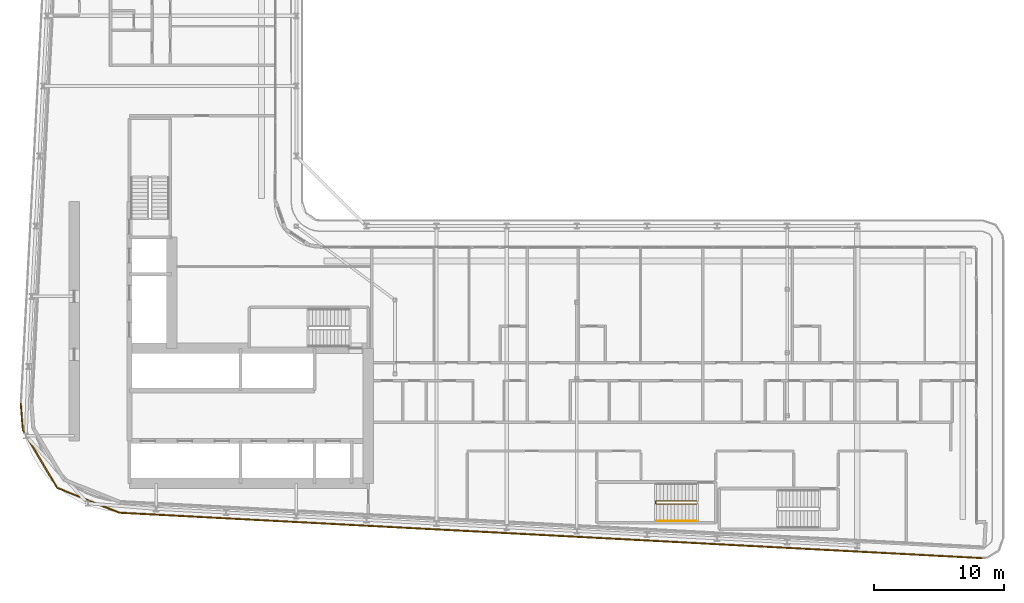
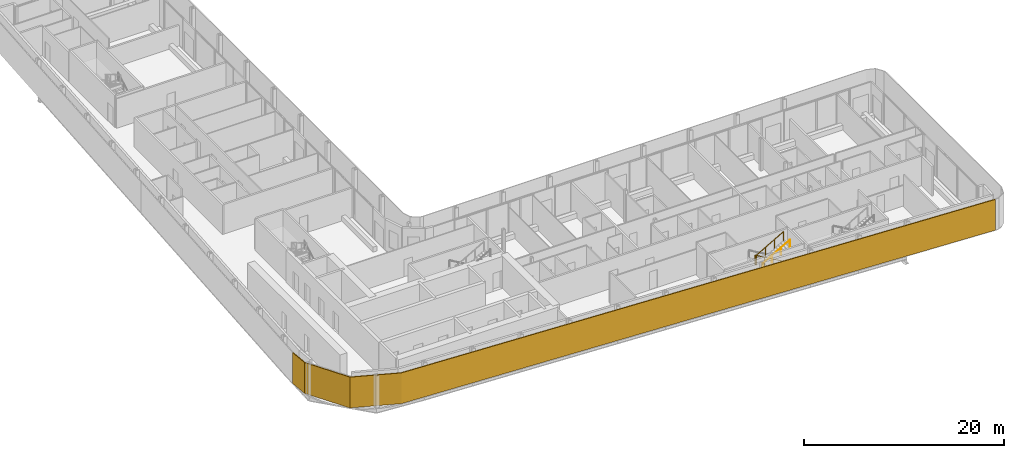
# One storey, part 25 of 29: 2 railings, 1 shading device.
"""IFC4 building model written with IfcOpenShell, lengths in metres."""

from ifc_helpers import new_model, si_unit, direction, frame, origin, origin_2d, place, context, subcontext, project, spatial, polyline, circle, outline, extrude, material, layer, layer_set, type_object, element, save


model = new_model("IFC4")

# Units and contexts
model_context = context("Model", 3, precision=1e-05, world=origin(), true_north=direction((0.0, 1.0)))
body_context = subcontext(model_context, "Body", "Model", "MODEL_VIEW")
ifc_project = project(units=[si_unit("LENGTHUNIT", "METRE"), si_unit("AREAUNIT", "SQUARE_METRE"), si_unit("VOLUMEUNIT", "CUBIC_METRE"), si_unit("PLANEANGLEUNIT", "RADIAN"), si_unit("MASSUNIT", "GRAM", prefix="KILO")], contexts=[model_context])

# Site, building, storey
site_placement = place(None, origin())
site = spatial("IfcSite", under=ifc_project, at=site_placement, CompositionType="ELEMENT")
building_placement = place(site_placement, origin())
building = spatial("IfcBuilding", under=site, at=building_placement, Name="Kheshtan School and Residences Tower", CompositionType="ELEMENT")
storey_placement = place(building_placement, frame((0.0, 0.0, 183.800048828125)))
storey = spatial("IfcBuildingStorey", under=building, at=storey_placement, Name="L43", CompositionType="ELEMENT", Elevation=183.800048828125)

# Shading device
ifc_material_1 = material(Name="Terracotta baguette, extruded ceramic", Category="masonry")
ifc_layer = layer(ifc_material_1, 0.10009765625)
ifc_layer_set = layer_set([ifc_layer], Name="Ledge screen, terracotta baguettes")
shading_device_type = type_object("IfcShadingDeviceType", Name="Ledge screen, terracotta baguettes", PredefinedType="USERDEFINED", material=ifc_layer_set)
shading_device_placement = place(storey_placement, origin())
element("IfcShadingDevice", 1, at=shading_device_placement, inside=storey, type_object=shading_device_type, Name="Screen L43 3", ObjectType="BAGUETTE", PredefinedType="USERDEFINED", context=body_context, shape_type="SweptSolid", body=[
    extrude(outline(polyline([(100.4208984375, 20.0830078125), (33.989013671875, 23.580078125), (29.2119140625, 25.486083984375), (26.583984375, 29.906982421875), (26.419921875, 31.989013671875), (26.320068359375, 31.98095703125), (26.486083984375, 29.8759765625), (29.14306640625, 25.406005859375), (33.967041015625, 23.48095703125), (100.416015625, 19.98291015625), (100.4208984375, 20.0830078125)])), origin(), (0.0, 0.0, 1.0), 3.75),
])

# Railings
ifc_material_2 = material(Name="Stainless steel balustrade", Category="steel")
railing_type_1 = type_object("IfcRailingType", Name="Stair guard 1100", PredefinedType="GUARDRAIL", material=ifc_material_2)
railing_1_placement = place(storey_placement, frame((78.409912109375, 24.449951171875, 0.162353515625)))
element("IfcRailing", 2, at=railing_1_placement, inside=storey, type_object=railing_type_1, Name="L43 ST5 stair guard 1", PredefinedType="GUARDRAIL", context=body_context, shape_type="SweptSolid", body=[
    extrude(circle(Radius=0.02392578125, at=origin_2d()), frame((0.0, 0.0, 1.076171875), z_axis=(-0.864873446163, 0.0, 0.501989962173), x_axis=(0.0, -1.0, 0.0)), (0.0, 0.0, 1.0), 3.56103515625),
    extrude(circle(Radius=0.02392578125, at=origin_2d()), frame((-3.079833984375, 0.0, 2.86376953125), z_axis=(-0.707106781187, -0.707106781187, 0.0), x_axis=(0.707106781187, -0.707106781187, 0.0)), (0.0, 0.0, 1.0), 0.07080078125),
    extrude(circle(Radius=0.02392578125, at=origin_2d()), frame((-3.1298828125, -0.050048828125, 2.86376953125), z_axis=(0.0, -1.0, 0.0), x_axis=(1.0, 0.0, 0.0)), (0.0, 0.0, 1.0), 0.14990234375),
    extrude(circle(Radius=0.02392578125, at=origin_2d()), frame((-3.1298828125, -0.199951171875, 2.86376953125), z_axis=(0.282227285176, -0.282227285176, 0.916894497205), x_axis=(0.707106781187, 0.707106781187, 0.0)), (0.0, 0.0, 1.0), 0.17724609375),
    extrude(circle(Radius=0.02392578125, at=origin_2d()), frame((-3.079833984375, -0.25, 3.0263671875), z_axis=(0.864903211148, 0.0, 0.501938676878), x_axis=(0.0, 1.0, 0.0)), (0.0, 0.0, 1.0), 3.560791015625),
    extrude(circle(Radius=0.02099609375, at=origin_2d()), origin(), (0.0, 0.0, 1.0), 1.052001953125),
    extrude(circle(Radius=0.02099609375, at=origin_2d()), frame((-1.026611328125, 0.0, 0.595947265625)), (0.0, 0.0, 1.0), 1.052001953125),
    extrude(circle(Radius=0.02099609375, at=origin_2d()), frame((-2.05322265625, 0.0, 1.191650390625)), (0.0, 0.0, 1.0), 1.052001953125),
    extrude(circle(Radius=0.02099609375, at=origin_2d()), frame((-3.079833984375, 0.0, 1.78759765625)), (0.0, 0.0, 1.0), 1.052001953125),
    extrude(circle(Radius=0.02099609375, at=origin_2d()), frame((-3.1298828125, -0.050048828125, 1.78759765625)), (0.0, 0.0, 1.0), 1.052001953125),
    extrude(circle(Radius=0.02099609375, at=origin_2d()), frame((-3.1298828125, -0.199951171875, 1.78759765625)), (0.0, 0.0, 1.0), 1.052001953125),
    extrude(circle(Radius=0.02099609375, at=origin_2d()), frame((-3.079833984375, -0.25, 1.9501953125)), (0.0, 0.0, 1.0), 1.052001953125),
    extrude(circle(Radius=0.02099609375, at=origin_2d()), frame((-2.05322265625, -0.25, 2.5458984375)), (0.0, 0.0, 1.0), 1.052001953125),
    extrude(circle(Radius=0.02099609375, at=origin_2d()), frame((-1.026611328125, -0.25, 3.141845703125)), (0.0, 0.0, 1.0), 1.052001953125),
    extrude(circle(Radius=0.02099609375, at=origin_2d()), frame((0.0, -0.25, 3.737548828125)), (0.0, 0.0, 1.0), 1.052001953125),
])
ifc_material_3 = material(Name="Stainless steel handrail", Category="steel")
railing_type_2 = type_object("IfcRailingType", Name="Stair handrail 900", PredefinedType="HANDRAIL", material=ifc_material_3)
railing_2_placement = place(storey_placement, frame((75.330078125, 22.89990234375, 2.112548828125)))
element("IfcRailing", 3, at=railing_2_placement, inside=storey, type_object=railing_type_2, Name="L43 ST5 stair handrail 2", PredefinedType="HANDRAIL", context=body_context, shape_type="SweptSolid", body=[
    extrude(circle(Radius=0.02392578125, at=origin_2d()), frame((0.0, 0.0, 0.8759765625), z_axis=(0.864903211148, 0.0, 0.501938676878), x_axis=(0.0, 1.0, 0.0)), (0.0, 0.0, 1.0), 3.560791015625),
    extrude(circle(Radius=0.02099609375, at=origin_2d()), origin(), (0.0, 0.0, 1.0), 0.851806640625),
    extrude(circle(Radius=0.02099609375, at=origin_2d()), frame((1.026611328125, 0.0, 0.595703125)), (0.0, 0.0, 1.0), 0.851806640625),
    extrude(circle(Radius=0.02099609375, at=origin_2d()), frame((2.05322265625, 0.0, 1.191650390625)), (0.0, 0.0, 1.0), 0.851806640625),
    extrude(circle(Radius=0.02099609375, at=origin_2d()), frame((3.079833984375, 0.0, 1.787353515625)), (0.0, 0.0, 1.0), 0.851806640625),
])

save(model, "model.ifc")
